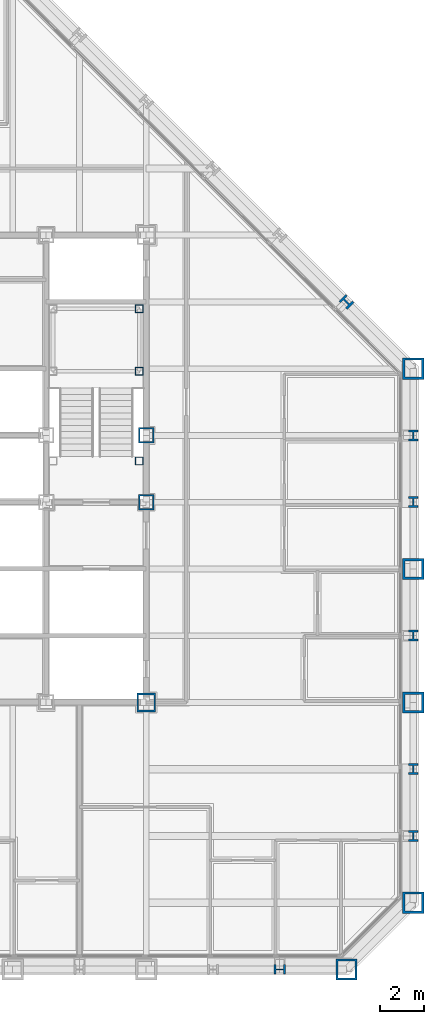
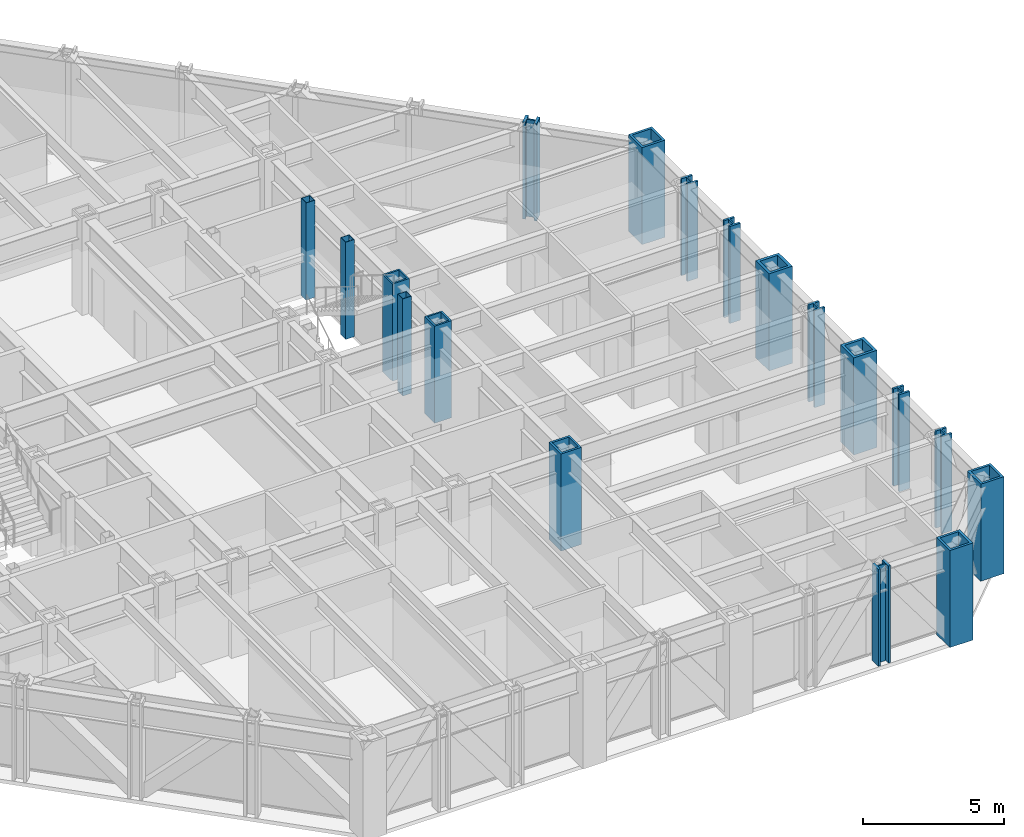
# One storey, part 2 of 16: 18 columns.
"""IFC4 building model written with IfcOpenShell, lengths in metres."""

import ifcopenshell
import ifcopenshell.guid

model = None  # the IFC model being written
_history = None  # IfcOwnerHistory: only IFC2X3 demands one
_inside = {}  # id of a spatial element -> (the spatial element, [elements in it])
_under = {}  # id of a project, library or spatial element -> (it, [spatial elements below it])
_declared = {}  # id of a project -> (the project, [libraries it declares])
_typed = {}  # id of a type object -> (the type object, [elements of that type])
_made_of = {}  # id of a material, layer set ... -> (it, [elements and type objects made of it])


def new_model(schema):
    """Start an empty IFC model of exactly this schema.

    Asked for "IFC4X3", IfcOpenShell would pick the latest addendum, in which some entities
    have other attributes; the version numbers below select the first issue.
    IFC2X3 requires an IfcOwnerHistory on every rooted entity: one is made here for all.
    """
    global model, _history
    if schema == "IFC4X3":
        model = ifcopenshell.file(schema_version=(4, 3, 0, 0))
    else:
        model = ifcopenshell.file(schema=schema)
    _inside.clear()
    _under.clear()
    _declared.clear()
    _typed.clear()
    _made_of.clear()
    _history = None
    if model.schema == "IFC2X3":
        org = make("IfcOrganization", Name="unknown")
        user = make(
            "IfcPersonAndOrganization",
            ThePerson=make("IfcPerson", FamilyName="unknown"),
            TheOrganization=org,
        )
        app = make(
            "IfcApplication",
            ApplicationDeveloper=org,
            Version="unknown",
            ApplicationFullName="unknown",
            ApplicationIdentifier="unknown",
        )
        _history = make(
            "IfcOwnerHistory",
            OwningUser=user,
            OwningApplication=app,
            ChangeAction="ADDED",
            CreationDate=0,
        )
    return model


def make(cls, **values):
    """One entity of the class cls with the attributes given. An attribute that is None is left unset."""
    return model.create_entity(
        cls, **{name: value for name, value in values.items() if value is not None}
    )


def rooted(cls, **values):
    """An entity with a GlobalId (a new one), such as an element, a storey or a relation."""
    return make(cls, GlobalId=ifcopenshell.guid.new(), OwnerHistory=_history, **values)


def si_unit(unit_type, name, prefix=None):
    """IfcSIUnit, for example si_unit("LENGTHUNIT", "METRE", prefix="MILLI")."""
    return make("IfcSIUnit", UnitType=unit_type, Prefix=prefix, Name=name)


def assignment(units):
    """IfcUnitAssignment: the units of a project."""
    return None if units is None else make("IfcUnitAssignment", Units=units)


def point(xyz):
    """IfcCartesianPoint."""
    return None if xyz is None else make("IfcCartesianPoint", Coordinates=xyz)


def direction(xyz):
    """IfcDirection."""
    return None if xyz is None else make("IfcDirection", DirectionRatios=xyz)


def frame(location, z_axis=None, x_axis=None):
    """IfcAxis2Placement3D, a coordinate frame: its origin and axes. An axis left out is left unset."""
    return make(
        "IfcAxis2Placement3D",
        Location=point(location),
        Axis=direction(z_axis),
        RefDirection=direction(x_axis),
    )


def frame_2d(location, x_axis=None):
    """IfcAxis2Placement2D, a coordinate frame in the plane: its origin and x axis."""
    return make(
        "IfcAxis2Placement2D", Location=point(location), RefDirection=direction(x_axis)
    )


def origin():
    """The frame at (0, 0, 0) with its axes left unset."""
    return frame((0.0, 0.0, 0.0))


def origin_2d():
    """The frame at (0, 0) in the plane with its x axis left unset."""
    return frame_2d((0.0, 0.0))


def place(relative_to, where):
    """IfcLocalPlacement: puts the frame where relative to a parent placement (None: the world)."""
    return make(
        "IfcLocalPlacement", PlacementRelTo=relative_to, RelativePlacement=where
    )


def context(
    kind, dimensions, precision=None, world=None, true_north=None, identifier=None
):
    """IfcGeometricRepresentationContext, for example the 3D "Model" context."""
    return make(
        "IfcGeometricRepresentationContext",
        ContextIdentifier=identifier,
        ContextType=kind,
        CoordinateSpaceDimension=dimensions,
        Precision=precision,
        WorldCoordinateSystem=world,
        TrueNorth=true_north,
    )


def subcontext(parent, identifier, kind, view, scale=None):
    """IfcGeometricRepresentationSubContext, for example "Body" below "Model"."""
    return make(
        "IfcGeometricRepresentationSubContext",
        ContextIdentifier=identifier,
        ContextType=kind,
        ParentContext=parent,
        TargetScale=scale,
        TargetView=view,
    )


def project(units=None, contexts=None):
    """IfcProject with its units and contexts."""
    return rooted(
        "IfcProject",
        Name="project",
        RepresentationContexts=contexts,
        UnitsInContext=assignment(units),
    )


def spatial(cls, under=None, at=None, **own):
    """A site, building, storey or space (cls), placed at a placement, below another one or the project."""
    s = rooted(cls, ObjectPlacement=at, **own)
    if under is not None:
        _under.setdefault(under.id(), (under, []))[1].append(s)
    return s


def profile(cls, at=None, kind="AREA", **sizes):
    """A parametric profile (cls). Its sizes go by their IFC names, for example OverallWidth=200.0."""
    return make(cls, ProfileType=kind, Position=at, **sizes)


def hollow_rectangle(**sizes):
    """IfcRectangleHollowProfileDef."""
    return profile("IfcRectangleHollowProfileDef", **sizes)


def i_section(**sizes):
    """IfcIShapeProfileDef."""
    return profile("IfcIShapeProfileDef", **sizes)


def extrude(swept, where, along, depth):
    """IfcExtrudedAreaSolid: the profile swept, set in the frame where, extruded along a direction by depth."""
    return make(
        "IfcExtrudedAreaSolid",
        SweptArea=swept,
        Position=where,
        ExtrudedDirection=direction(along),
        Depth=depth,
    )


def shape(context_of_items, identifier, shape_type, items):
    """IfcShapeRepresentation: the items that make up one representation, for example the "Body"."""
    return make(
        "IfcShapeRepresentation",
        ContextOfItems=context_of_items,
        RepresentationIdentifier=identifier,
        RepresentationType=shape_type,
        Items=items,
    )


def material(Name=None, Category=None):
    """IfcMaterial."""
    return make("IfcMaterial", Name=Name, Category=Category)


def material_profile(
    of_material, cross_section, Name=None, Category=None, Priority=None
):
    """IfcMaterialProfile: a cross section and its material."""
    return make(
        "IfcMaterialProfile",
        Name=Name,
        Material=of_material,
        Profile=cross_section,
        Priority=Priority,
        Category=Category,
    )


def profile_set(profiles, Name=None, composite=None):
    """IfcMaterialProfileSet."""
    return make(
        "IfcMaterialProfileSet",
        Name=Name,
        MaterialProfiles=profiles,
        CompositeProfile=composite,
    )


def made_of(thing, what):
    """Note that an element or type object is made of a material, layer set ...; save() writes the relation."""
    if what is not None:
        _made_of.setdefault(what.id(), (what, []))[1].append(thing)
    return thing


def type_object(cls, material=None, **own):
    """A type object (cls), such as IfcWallType, which elements share."""
    return made_of(rooted(cls, **own), material)


def element(
    cls,
    number,
    at=None,
    inside=None,
    cuts=None,
    type_object=None,
    material=None,
    context=None,
    identifier="Body",
    shape_type=None,
    held_by="IfcProductDefinitionShape",
    body=None,
    shapes=None,
    **own,
):
    """One element of the class cls, such as IfcWall. Its Tag is "e" and its number.

    at: its placement. inside: the storey or other place that contains it. cuts: it is an
    opening in that element (IfcRelVoidsElement). A single representation is given by context,
    identifier, shape_type and body (its items); several are given by shapes. held_by: the class
    of the entity that holds the representations. save() writes the other relations.
    """
    e = rooted(cls, Tag="e%d" % number, ObjectPlacement=at, **own)
    if body is not None:
        shapes = [shape(context, identifier, shape_type, body)]
    if shapes is not None:
        e.Representation = make(held_by, Representations=shapes)
    if inside is not None:
        _inside.setdefault(inside.id(), (inside, []))[1].append(e)
    if cuts is not None:
        rooted(
            "IfcRelVoidsElement", RelatingBuildingElement=cuts, RelatedOpeningElement=e
        )
    if type_object is not None:
        _typed.setdefault(type_object.id(), (type_object, []))[1].append(e)
    return made_of(e, material)


def aggregate(whole, parts):
    """IfcRelAggregates: a whole, such as a stair, and the parts it consists of."""
    return rooted("IfcRelAggregates", RelatingObject=whole, RelatedObjects=parts)


def save(model, path):
    """Write the relations noted so far, then the file.

    IfcRelAggregates (storeys below a building ...), IfcRelContainedInSpatialStructure (elements
    in a storey), IfcRelDefinesByType, IfcRelAssociatesMaterial and IfcRelDeclares: one each for
    every whole, place, type object, material and project.
    """
    for whole, parts in _under.values():
        aggregate(whole, parts)
    for where, things in _inside.values():
        rooted(
            "IfcRelContainedInSpatialStructure",
            RelatedElements=things,
            RelatingStructure=where,
        )
    for kind, things in _typed.values():
        rooted("IfcRelDefinesByType", RelatedObjects=things, RelatingType=kind)
    for what, things in _made_of.values():
        rooted("IfcRelAssociatesMaterial", RelatedObjects=things, RelatingMaterial=what)
    for by, libraries in _declared.values():
        rooted("IfcRelDeclares", RelatingContext=by, RelatedDefinitions=libraries)
    model.write(path)


model = new_model("IFC4")

# Units and contexts
model_context = context("Model", 3, precision=1e-05, world=origin(), true_north=direction((0.0, 1.0)))
body_context = subcontext(model_context, "Body", "Model", "MODEL_VIEW")
ifc_project = project(units=[si_unit("LENGTHUNIT", "METRE"), si_unit("AREAUNIT", "SQUARE_METRE"), si_unit("VOLUMEUNIT", "CUBIC_METRE"), si_unit("PLANEANGLEUNIT", "RADIAN"), si_unit("MASSUNIT", "GRAM", prefix="KILO")], contexts=[model_context])

# Site, building, storey
site_placement = place(None, origin())
site = spatial("IfcSite", under=ifc_project, at=site_placement, CompositionType="ELEMENT")
building_placement = place(site_placement, origin())
building = spatial("IfcBuilding", under=site, at=building_placement, Name="Chuquiago Exchange Tower", CompositionType="ELEMENT")
storey_placement = place(building_placement, frame((0.0, 0.0, 127.800048828125)))
storey = spatial("IfcBuildingStorey", under=building, at=storey_placement, Name="L27", CompositionType="ELEMENT", Elevation=127.800048828125)

# Columns
ifc_material_1 = material(Name="Steel ASTM A992", Category="steel")
ifc_material_profile_1 = material_profile(ifc_material_1, i_section(OverallWidth=0.431884765625, OverallDepth=0.497802734375, WebThickness=0.0556640625, FlangeThickness=0.0888671875, at=origin_2d()), Name="W14X500")
ifc_profile_set_1 = profile_set([ifc_material_profile_1], Name="Steel ASTM A992")
column_type_1 = type_object("IfcColumnType", Name="C3 W14X500", PredefinedType="COLUMN", material=ifc_profile_set_1)
for number, where, z_axis, x_axis, name in (
    (1, (39.0, 0.0, 0.0), (0.0, 0.0, 1.0), (0.0, -1.0, 0.0), "COL-L27-39_0"),
    (2, (45.0, 6.0, 0.0), (0.0, 0.0, 1.0), (1.0, 0.0, 0.0), "COL-L27-45_6"),
    (3, (45.0, 9.0, 0.0), (0.0, 0.0, 1.0), (1.0, 0.0, 0.0), "COL-L27-45_9"),
    (4, (45.0, 15.0, 0.0), (0.0, 0.0, 1.0), (1.0, 0.0, 0.0), "COL-L27-45_15"),
    (5, (45.0, 21.0, 0.0), (0.0, 0.0, 1.0), (1.0, 0.0, 0.0), "COL-L27-45_21"),
    (6, (45.0, 24.0, 0.0), (0.0, 0.0, 1.0), (1.0, 0.0, 0.0), "COL-L27-45_24"),
):
    element("IfcColumn", number, at=place(storey_placement, frame(where, z_axis=z_axis, x_axis=x_axis)), inside=storey, type_object=column_type_1, Name=name, PredefinedType="COLUMN", context=body_context, shape_type="SweptSolid", body=[
        extrude(i_section(OverallWidth=0.431884765625, OverallDepth=0.497802734375, WebThickness=0.0556640625, FlangeThickness=0.0888671875, at=origin_2d()), origin(), (0.0, 0.0, 1.0), 4.199951171875),
    ])
ifc_material_2 = material(Name="Steel ASTM A572 Grade 50", Category="steel")
ifc_material_profile_2 = material_profile(ifc_material_2, hollow_rectangle(XDim=0.699951171875, YDim=0.699951171875, WallThickness=0.070068359375, at=origin_2d()), Name="BOX700X700X70")
ifc_profile_set_2 = profile_set([ifc_material_profile_2], Name="Steel ASTM A572 Grade 50")
column_type_2 = type_object("IfcColumnType", Name="CC3 BOX700X700X70", PredefinedType="COLUMN", material=ifc_profile_set_2)
for number, where, z_axis, x_axis, name in (
    (7, (33.0, 21.0, 0.0), (0.0, 0.0, 1.0), (1.0, 0.0, 0.0), "CCOL-L27-33_21"),
    (8, (33.0, 24.0, 0.0), (0.0, 0.0, 1.0), (1.0, 0.0, 0.0), "CCOL-L27-33_24"),
):
    element("IfcColumn", number, at=place(storey_placement, frame(where, z_axis=z_axis, x_axis=x_axis)), inside=storey, type_object=column_type_2, Name=name, PredefinedType="COLUMN", context=body_context, shape_type="SweptSolid", body=[
        extrude(hollow_rectangle(XDim=0.699951171875, YDim=0.699951171875, WallThickness=0.070068359375, at=origin_2d()), origin(), (0.0, 0.0, 1.0), 4.199951171875),
    ])
ifc_material_3 = material(Name="Steel ASTM A572 Grade 50", Category="steel")
ifc_material_profile_3 = material_profile(ifc_material_3, hollow_rectangle(XDim=0.85009765625, YDim=0.85009765625, WallThickness=0.0849609375, at=origin_2d()), Name="BOX850X850X85")
ifc_profile_set_3 = profile_set([ifc_material_profile_3], Name="Steel ASTM A572 Grade 50")
column_type_3 = type_object("IfcColumnType", Name="CC6 BOX850X850X85", PredefinedType="COLUMN", material=ifc_profile_set_3)
column_1_placement = place(storey_placement, frame((33.0, 12.0, 0.0), z_axis=(0.0, 0.0, 1.0), x_axis=(1.0, 0.0, 0.0)))
element("IfcColumn", 9, at=column_1_placement, inside=storey, type_object=column_type_3, Name="CCOL-L27-33_12", PredefinedType="COLUMN", context=body_context, shape_type="SweptSolid", body=[
    extrude(hollow_rectangle(XDim=0.85009765625, YDim=0.85009765625, WallThickness=0.0849609375, at=origin_2d()), origin(), (0.0, 0.0, 1.0), 4.199951171875),
])
ifc_material_4 = material(Name="Steel ASTM A992", Category="steel")
ifc_material_profile_4 = material_profile(ifc_material_4, i_section(OverallWidth=0.44189453125, OverallDepth=0.53076171875, WebThickness=0.06591796875, FlangeThickness=0.105712890625, at=origin_2d()), Name="W14X605")
ifc_profile_set_4 = profile_set([ifc_material_profile_4], Name="Steel ASTM A992")
column_type_4 = type_object("IfcColumnType", Name="CK3 W14X605", PredefinedType="COLUMN", material=ifc_profile_set_4)
column_2_placement = place(storey_placement, frame((42.0, 30.0, 0.0), z_axis=(0.0, 0.0, 1.0), x_axis=(0.707106781187, 0.707106781187, 0.0)))
element("IfcColumn", 10, at=column_2_placement, inside=storey, type_object=column_type_4, Name="COL-L27-42_30", PredefinedType="COLUMN", context=body_context, shape_type="SweptSolid", body=[
    extrude(i_section(OverallWidth=0.44189453125, OverallDepth=0.53076171875, WebThickness=0.06591796875, FlangeThickness=0.105712890625, at=origin_2d()), origin(), (0.0, 0.0, 1.0), 4.199951171875),
])
ifc_material_5 = material(Name="Steel ASTM A572 Grade 50", Category="steel")
ifc_material_profile_5 = material_profile(ifc_material_5, hollow_rectangle(XDim=0.949951171875, YDim=0.949951171875, WallThickness=0.094970703125, at=origin_2d()), Name="BOX950X950X95")
ifc_profile_set_5 = profile_set([ifc_material_profile_5], Name="Steel ASTM A572 Grade 50")
column_type_5 = type_object("IfcColumnType", Name="CN1 BOX950X950X95", PredefinedType="COLUMN", material=ifc_profile_set_5)
for number, where, z_axis, x_axis, name in (
    (11, (42.0, 0.0, 0.0), (0.0, 0.0, 1.0), (0.0, -1.0, 0.0), "COL-L27-42_0"),
    (12, (45.0, 3.0, 0.0), (0.0, 0.0, 1.0), (1.0, 0.0, 0.0), "COL-L27-45_3"),
    (13, (45.0, 27.0, 0.0), (0.0, 0.0, 1.0), (1.0, 0.0, 0.0), "COL-L27-45_27"),
):
    element("IfcColumn", number, at=place(storey_placement, frame(where, z_axis=z_axis, x_axis=x_axis)), inside=storey, type_object=column_type_5, Name=name, PredefinedType="COLUMN", context=body_context, shape_type="SweptSolid", body=[
        extrude(hollow_rectangle(XDim=0.949951171875, YDim=0.949951171875, WallThickness=0.094970703125, at=origin_2d()), origin(), (0.0, 0.0, 1.0), 4.199951171875),
    ])
ifc_material_6 = material(Name="Steel ASTM A572 Grade 42", Category="steel")
ifc_material_profile_6 = material_profile(ifc_material_6, hollow_rectangle(XDim=0.949951171875, YDim=0.949951171875, WallThickness=0.110107421875, at=origin_2d()), Name="BOX950X950X110")
ifc_profile_set_6 = profile_set([ifc_material_profile_6], Name="Steel ASTM A572 Grade 42")
column_type_6 = type_object("IfcColumnType", Name="CT1 BOX950X950X110", PredefinedType="COLUMN", material=ifc_profile_set_6)
for number, where, z_axis, x_axis, name in (
    (14, (45.0, 12.0, 0.0), (0.0, 0.0, 1.0), (1.0, 0.0, 0.0), "COL-L27-45_12"),
    (15, (45.0, 18.0, 0.0), (0.0, 0.0, 1.0), (1.0, 0.0, 0.0), "COL-L27-45_18"),
):
    element("IfcColumn", number, at=place(storey_placement, frame(where, z_axis=z_axis, x_axis=x_axis)), inside=storey, type_object=column_type_6, Name=name, PredefinedType="COLUMN", context=body_context, shape_type="SweptSolid", body=[
        extrude(hollow_rectangle(XDim=0.949951171875, YDim=0.949951171875, WallThickness=0.110107421875, at=origin_2d()), origin(), (0.0, 0.0, 1.0), 4.199951171875),
    ])
ifc_material_7 = material(Name="Steel ASTM A500 Grade C", Category="steel")
ifc_material_profile_7 = material_profile(ifc_material_7, hollow_rectangle(XDim=0.355712890625, YDim=0.355712890625, WallThickness=0.0146484375, at=origin_2d()), Name="HSS14X14X5/8")
ifc_profile_set_7 = profile_set([ifc_material_profile_7], Name="Steel ASTM A500 Grade C")
column_type_7 = type_object("IfcColumnType", Name="PT2 HSS14X14X5/8", PredefinedType="COLUMN", material=ifc_profile_set_7)
for number, where, z_axis, x_axis, name in (
    (16, (32.68994140625, 29.68994140625, 0.0), (0.0, 0.0, 1.0), (1.0, 0.0, 0.0), "Stair ST2 L27 landing post"),
    (17, (32.68994140625, 26.889892578125, 0.0), (0.0, 0.0, 1.0), (1.0, 0.0, 0.0), "Stair ST2 L27 landing post"),
    (18, (32.68994140625, 22.85009765625, 0.0), (0.0, 0.0, 1.0), (1.0, 0.0, 0.0), "Stair ST2 L27 landing post"),
):
    element("IfcColumn", number, at=place(storey_placement, frame(where, z_axis=z_axis, x_axis=x_axis)), inside=storey, type_object=column_type_7, Name=name, PredefinedType="COLUMN", context=body_context, shape_type="SweptSolid", body=[
        extrude(hollow_rectangle(XDim=0.355712890625, YDim=0.355712890625, WallThickness=0.0146484375, at=origin_2d()), origin(), (0.0, 0.0, 1.0), 4.199951171875),
    ])

save(model, "model.ifc")
